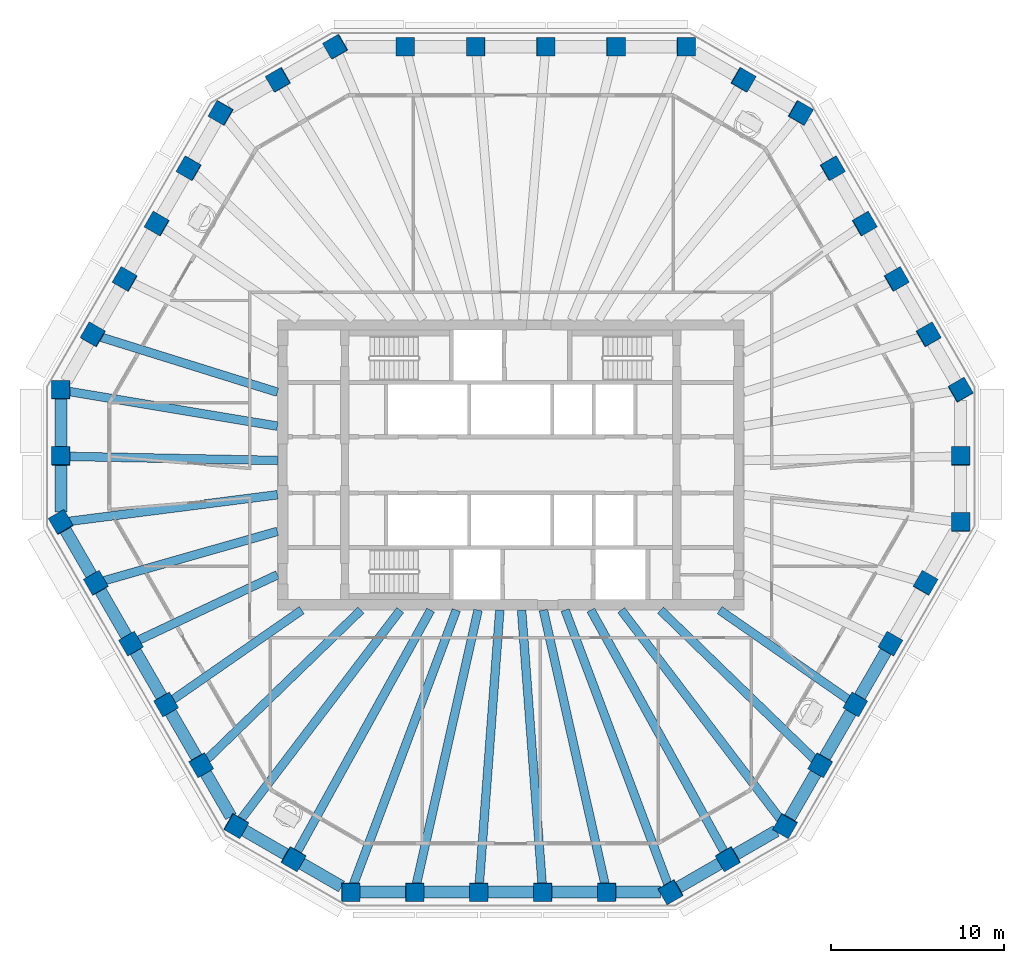
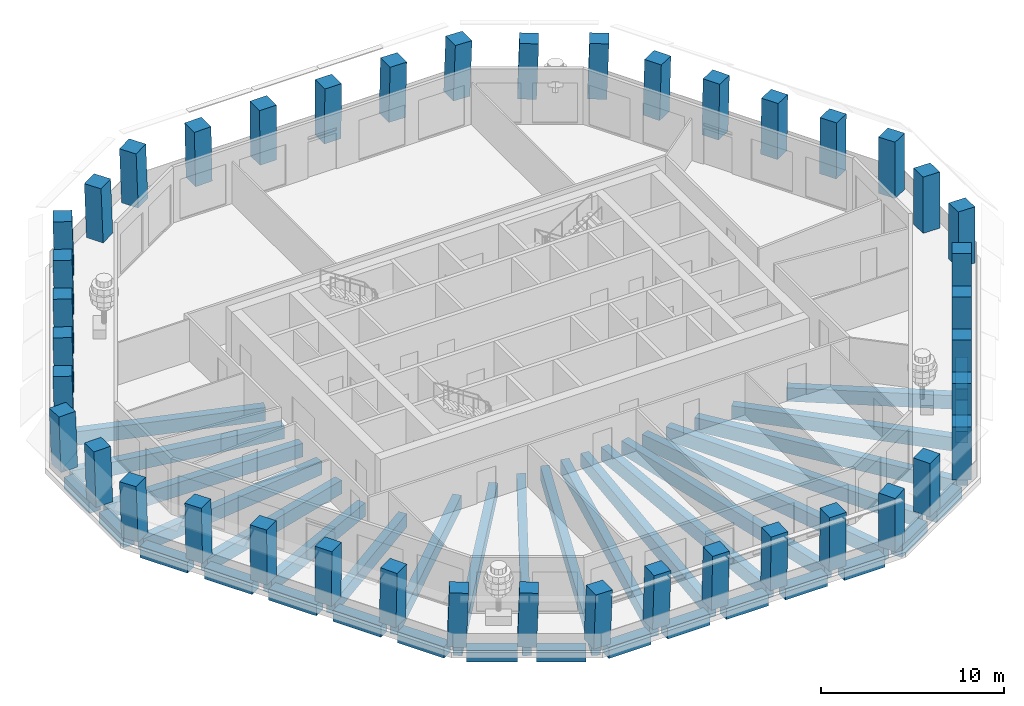
# One storey, part 1 of 12: 42 columns, 39 beams.
"""IFC4 building model written with IfcOpenShell, lengths in metres."""

import ifcopenshell
import ifcopenshell.guid

model = None  # the IFC model being written
_history = None  # IfcOwnerHistory: only IFC2X3 demands one
_inside = {}  # id of a spatial element -> (the spatial element, [elements in it])
_under = {}  # id of a project, library or spatial element -> (it, [spatial elements below it])
_declared = {}  # id of a project -> (the project, [libraries it declares])
_typed = {}  # id of a type object -> (the type object, [elements of that type])
_made_of = {}  # id of a material, layer set ... -> (it, [elements and type objects made of it])


def new_model(schema):
    """Start an empty IFC model of exactly this schema.

    Asked for "IFC4X3", IfcOpenShell would pick the latest addendum, in which some entities
    have other attributes; the version numbers below select the first issue.
    IFC2X3 requires an IfcOwnerHistory on every rooted entity: one is made here for all.
    """
    global model, _history
    if schema == "IFC4X3":
        model = ifcopenshell.file(schema_version=(4, 3, 0, 0))
    else:
        model = ifcopenshell.file(schema=schema)
    _inside.clear()
    _under.clear()
    _declared.clear()
    _typed.clear()
    _made_of.clear()
    _history = None
    if model.schema == "IFC2X3":
        org = make("IfcOrganization", Name="unknown")
        user = make(
            "IfcPersonAndOrganization",
            ThePerson=make("IfcPerson", FamilyName="unknown"),
            TheOrganization=org,
        )
        app = make(
            "IfcApplication",
            ApplicationDeveloper=org,
            Version="unknown",
            ApplicationFullName="unknown",
            ApplicationIdentifier="unknown",
        )
        _history = make(
            "IfcOwnerHistory",
            OwningUser=user,
            OwningApplication=app,
            ChangeAction="ADDED",
            CreationDate=0,
        )
    return model


def make(cls, **values):
    """One entity of the class cls with the attributes given. An attribute that is None is left unset."""
    return model.create_entity(
        cls, **{name: value for name, value in values.items() if value is not None}
    )


def rooted(cls, **values):
    """An entity with a GlobalId (a new one), such as an element, a storey or a relation."""
    return make(cls, GlobalId=ifcopenshell.guid.new(), OwnerHistory=_history, **values)


def si_unit(unit_type, name, prefix=None):
    """IfcSIUnit, for example si_unit("LENGTHUNIT", "METRE", prefix="MILLI")."""
    return make("IfcSIUnit", UnitType=unit_type, Prefix=prefix, Name=name)


def assignment(units):
    """IfcUnitAssignment: the units of a project."""
    return None if units is None else make("IfcUnitAssignment", Units=units)


def point(xyz):
    """IfcCartesianPoint."""
    return None if xyz is None else make("IfcCartesianPoint", Coordinates=xyz)


def direction(xyz):
    """IfcDirection."""
    return None if xyz is None else make("IfcDirection", DirectionRatios=xyz)


def frame(location, z_axis=None, x_axis=None):
    """IfcAxis2Placement3D, a coordinate frame: its origin and axes. An axis left out is left unset."""
    return make(
        "IfcAxis2Placement3D",
        Location=point(location),
        Axis=direction(z_axis),
        RefDirection=direction(x_axis),
    )


def frame_2d(location, x_axis=None):
    """IfcAxis2Placement2D, a coordinate frame in the plane: its origin and x axis."""
    return make(
        "IfcAxis2Placement2D", Location=point(location), RefDirection=direction(x_axis)
    )


def origin():
    """The frame at (0, 0, 0) with its axes left unset."""
    return frame((0.0, 0.0, 0.0))


def origin_2d():
    """The frame at (0, 0) in the plane with its x axis left unset."""
    return frame_2d((0.0, 0.0))


def place(relative_to, where):
    """IfcLocalPlacement: puts the frame where relative to a parent placement (None: the world)."""
    return make(
        "IfcLocalPlacement", PlacementRelTo=relative_to, RelativePlacement=where
    )


def context(
    kind, dimensions, precision=None, world=None, true_north=None, identifier=None
):
    """IfcGeometricRepresentationContext, for example the 3D "Model" context."""
    return make(
        "IfcGeometricRepresentationContext",
        ContextIdentifier=identifier,
        ContextType=kind,
        CoordinateSpaceDimension=dimensions,
        Precision=precision,
        WorldCoordinateSystem=world,
        TrueNorth=true_north,
    )


def subcontext(parent, identifier, kind, view, scale=None):
    """IfcGeometricRepresentationSubContext, for example "Body" below "Model"."""
    return make(
        "IfcGeometricRepresentationSubContext",
        ContextIdentifier=identifier,
        ContextType=kind,
        ParentContext=parent,
        TargetScale=scale,
        TargetView=view,
    )


def project(units=None, contexts=None):
    """IfcProject with its units and contexts."""
    return rooted(
        "IfcProject",
        Name="project",
        RepresentationContexts=contexts,
        UnitsInContext=assignment(units),
    )


def spatial(cls, under=None, at=None, **own):
    """A site, building, storey or space (cls), placed at a placement, below another one or the project."""
    s = rooted(cls, ObjectPlacement=at, **own)
    if under is not None:
        _under.setdefault(under.id(), (under, []))[1].append(s)
    return s


def profile(cls, at=None, kind="AREA", **sizes):
    """A parametric profile (cls). Its sizes go by their IFC names, for example OverallWidth=200.0."""
    return make(cls, ProfileType=kind, Position=at, **sizes)


def rectangle(**sizes):
    """IfcRectangleProfileDef."""
    return profile("IfcRectangleProfileDef", **sizes)


def extrude(swept, where, along, depth):
    """IfcExtrudedAreaSolid: the profile swept, set in the frame where, extruded along a direction by depth."""
    return make(
        "IfcExtrudedAreaSolid",
        SweptArea=swept,
        Position=where,
        ExtrudedDirection=direction(along),
        Depth=depth,
    )


def shape(context_of_items, identifier, shape_type, items):
    """IfcShapeRepresentation: the items that make up one representation, for example the "Body"."""
    return make(
        "IfcShapeRepresentation",
        ContextOfItems=context_of_items,
        RepresentationIdentifier=identifier,
        RepresentationType=shape_type,
        Items=items,
    )


def material(Name=None, Category=None):
    """IfcMaterial."""
    return make("IfcMaterial", Name=Name, Category=Category)


def material_profile(
    of_material, cross_section, Name=None, Category=None, Priority=None
):
    """IfcMaterialProfile: a cross section and its material."""
    return make(
        "IfcMaterialProfile",
        Name=Name,
        Material=of_material,
        Profile=cross_section,
        Priority=Priority,
        Category=Category,
    )


def profile_set(profiles, Name=None, composite=None):
    """IfcMaterialProfileSet."""
    return make(
        "IfcMaterialProfileSet",
        Name=Name,
        MaterialProfiles=profiles,
        CompositeProfile=composite,
    )


def made_of(thing, what):
    """Note that an element or type object is made of a material, layer set ...; save() writes the relation."""
    if what is not None:
        _made_of.setdefault(what.id(), (what, []))[1].append(thing)
    return thing


def type_object(cls, material=None, **own):
    """A type object (cls), such as IfcWallType, which elements share."""
    return made_of(rooted(cls, **own), material)


def element(
    cls,
    number,
    at=None,
    inside=None,
    cuts=None,
    type_object=None,
    material=None,
    context=None,
    identifier="Body",
    shape_type=None,
    held_by="IfcProductDefinitionShape",
    body=None,
    shapes=None,
    **own,
):
    """One element of the class cls, such as IfcWall. Its Tag is "e" and its number.

    at: its placement. inside: the storey or other place that contains it. cuts: it is an
    opening in that element (IfcRelVoidsElement). A single representation is given by context,
    identifier, shape_type and body (its items); several are given by shapes. held_by: the class
    of the entity that holds the representations. save() writes the other relations.
    """
    e = rooted(cls, Tag="e%d" % number, ObjectPlacement=at, **own)
    if body is not None:
        shapes = [shape(context, identifier, shape_type, body)]
    if shapes is not None:
        e.Representation = make(held_by, Representations=shapes)
    if inside is not None:
        _inside.setdefault(inside.id(), (inside, []))[1].append(e)
    if cuts is not None:
        rooted(
            "IfcRelVoidsElement", RelatingBuildingElement=cuts, RelatedOpeningElement=e
        )
    if type_object is not None:
        _typed.setdefault(type_object.id(), (type_object, []))[1].append(e)
    return made_of(e, material)


def aggregate(whole, parts):
    """IfcRelAggregates: a whole, such as a stair, and the parts it consists of."""
    return rooted("IfcRelAggregates", RelatingObject=whole, RelatedObjects=parts)


def save(model, path):
    """Write the relations noted so far, then the file.

    IfcRelAggregates (storeys below a building ...), IfcRelContainedInSpatialStructure (elements
    in a storey), IfcRelDefinesByType, IfcRelAssociatesMaterial and IfcRelDeclares: one each for
    every whole, place, type object, material and project.
    """
    for whole, parts in _under.values():
        aggregate(whole, parts)
    for where, things in _inside.values():
        rooted(
            "IfcRelContainedInSpatialStructure",
            RelatedElements=things,
            RelatingStructure=where,
        )
    for kind, things in _typed.values():
        rooted("IfcRelDefinesByType", RelatedObjects=things, RelatingType=kind)
    for what, things in _made_of.values():
        rooted("IfcRelAssociatesMaterial", RelatedObjects=things, RelatingMaterial=what)
    for by, libraries in _declared.values():
        rooted("IfcRelDeclares", RelatingContext=by, RelatedDefinitions=libraries)
    model.write(path)


model = new_model("IFC4")

# Units and contexts
model_context = context("Model", 3, precision=1e-05, world=origin(), true_north=direction((0.0, 1.0)))
body_context = subcontext(model_context, "Body", "Model", "MODEL_VIEW")
ifc_project = project(units=[si_unit("LENGTHUNIT", "METRE"), si_unit("AREAUNIT", "SQUARE_METRE"), si_unit("VOLUMEUNIT", "CUBIC_METRE"), si_unit("PLANEANGLEUNIT", "RADIAN"), si_unit("MASSUNIT", "GRAM", prefix="KILO")], contexts=[model_context])

# Site, building, storey
site_placement = place(None, origin())
site = spatial("IfcSite", under=ifc_project, at=site_placement, CompositionType="ELEMENT")
building_placement = place(site_placement, origin())
building = spatial("IfcBuilding", under=site, at=building_placement, Name="Frailejon Research Tower", CompositionType="ELEMENT")
storey_placement = place(building_placement, frame((0.0, 0.0, 227.39990234375)))
storey = spatial("IfcBuildingStorey", under=building, at=storey_placement, Name="L49", CompositionType="ELEMENT", Elevation=227.39990234375)

# Columns
ifc_material_1 = material(Name="Concrete C60/75", Category="concrete")
ifc_material_profile_1 = material_profile(ifc_material_1, rectangle(XDim=1.050048828125, YDim=1.050048828125, at=origin_2d()), Name="Column 1050")
ifc_profile_set_1 = profile_set([ifc_material_profile_1], Name="Concrete C60/75")
column_type = type_object("IfcColumnType", Name="Column 1050", PredefinedType="COLUMN", material=ifc_profile_set_1)
for number, where, z_axis, x_axis, name in (
    (1, (26.024658203125, -3.323974609375, 0.0), (0.018113955825, 0.03141534774, 0.999342263957), (-0.001297337727, 0.999506151202, -0.031396984318), "Column C01"),
    (2, (26.024658203125, 0.502685546875, 0.0), (0.018113955825, 0.03141534774, 0.999342263957), (-0.001297337727, 0.999506151202, -0.031396984318), "Column C02"),
    (3, (26.024658203125, 4.32958984375, 0.0), (0.018113993821, 0.031348572332, 0.999344360189), (-0.500242438757, 0.865696423189, -0.018088818244), "Column C03"),
):
    element("IfcColumn", number, at=place(storey_placement, frame(where, z_axis=z_axis, x_axis=x_axis)), inside=storey, type_object=column_type, Name=name, PredefinedType="COLUMN", context=body_context, shape_type="SweptSolid", body=[
        extrude(rectangle(XDim=1.050048828125, YDim=1.050048828125, at=origin_2d()), origin(), (0.0, 0.0, 1.0), 3.652587890625),
    ])
column_1_placement = place(storey_placement, frame((24.172119140625, 7.538330078125, 0.0), z_axis=(0.021792492936, 0.025134899828, 0.999446508855), x_axis=(-0.499665392548, 0.866150076023, -0.010887667087)))
element("IfcColumn", 4, at=column_1_placement, inside=storey, type_object=column_type, Name="Column C04", PredefinedType="COLUMN", context=body_context, shape_type="SweptSolid", body=[
    extrude(rectangle(XDim=1.050048828125, YDim=1.050048828125, at=origin_2d()), origin(), (0.0, 0.0, 1.0), 3.652099609375),
])
for number, where, z_axis, x_axis, name in (
    (5, (22.319580078125, 10.7470703125, 0.0), (0.025403639223, 0.018852174371, 0.999499500068), (-0.49953538034, 0.866285825257, -0.003643178262), "Column C05"),
    (6, (20.467041015625, 13.955810546875, 0.0), (0.029013644583, 0.012568122538, 0.999500000362), (-0.499848973822, 0.866105020579, 0.003618935909), "Column C06"),
):
    element("IfcColumn", number, at=place(storey_placement, frame(where, z_axis=z_axis, x_axis=x_axis)), inside=storey, type_object=column_type, Name=name, PredefinedType="COLUMN", context=body_context, shape_type="SweptSolid", body=[
        extrude(rectangle(XDim=1.050048828125, YDim=1.050048828125, at=origin_2d()), origin(), (0.0, 0.0, 1.0), 3.65185546875),
    ])
column_2_placement = place(storey_placement, frame((18.614501953125, 17.16455078125, 0.0), z_axis=(0.032621940247, 0.006283734392, 0.999448009502), x_axis=(-0.499397291693, 0.866305109606, 0.01085366852)))
element("IfcColumn", 7, at=column_2_placement, inside=storey, type_object=column_type, Name="Column C07", PredefinedType="COLUMN", context=body_context, shape_type="SweptSolid", body=[
    extrude(rectangle(XDim=1.050048828125, YDim=1.050048828125, at=origin_2d()), origin(), (0.0, 0.0, 1.0), 3.652099609375),
])
for number, where, z_axis, x_axis, name in (
    (8, (16.76171875, 20.373291015625, 0.0), (0.036294711627, 0.0, 0.999341129899), (-0.865312619905, 0.500246354177, 0.031426978303), "Column C08"),
    (9, (13.44775390625, 22.28662109375, 0.0), (0.036294711627, 0.0, 0.999341129899), (-0.865312619905, 0.500246354177, 0.031426978303), "Column C09"),
    (10, (10.1337890625, 24.199951171875, 0.0), (0.036227958345, 0.0, 0.999343552055), (-0.999343552055, 0.0, 0.036227958345), "Column C10"),
):
    element("IfcColumn", number, at=place(storey_placement, frame(where, z_axis=z_axis, x_axis=x_axis)), inside=storey, type_object=column_type, Name=name, PredefinedType="COLUMN", context=body_context, shape_type="SweptSolid", body=[
        extrude(rectangle(XDim=1.050048828125, YDim=1.050048828125, at=origin_2d()), origin(), (0.0, 0.0, 1.0), 3.652587890625),
    ])
column_3_placement = place(storey_placement, frame((6.080322265625, 24.199951171875, 0.0), z_axis=(0.021799380047, 0.0, 0.99976236528), x_axis=(-0.99976236528, 0.0, 0.021799380047)))
element("IfcColumn", 11, at=column_3_placement, inside=storey, type_object=column_type, Name="Column C11", PredefinedType="COLUMN", context=body_context, shape_type="SweptSolid", body=[
    extrude(rectangle(XDim=1.050048828125, YDim=1.050048828125, at=origin_2d()), origin(), (0.0, 0.0, 1.0), 3.651123046875),
])
for number, where, z_axis, x_axis, name in (
    (12, (2.02685546875, 24.199951171875, 0.0), (0.007223408626, 0.0, 0.999973910844), (-0.999973910844, 0.0, 0.007223408626), "Column C12"),
    (13, (-2.02685546875, 24.199951171875, 0.0), (-0.007223408626, 0.0, 0.999973910844), (-0.999973910844, 0.0, -0.007223408626), "Column C13"),
):
    element("IfcColumn", number, at=place(storey_placement, frame(where, z_axis=z_axis, x_axis=x_axis)), inside=storey, type_object=column_type, Name=name, PredefinedType="COLUMN", context=body_context, shape_type="SweptSolid", body=[
        extrude(rectangle(XDim=1.050048828125, YDim=1.050048828125, at=origin_2d()), origin(), (0.0, 0.0, 1.0), 3.650146484375),
    ])
column_4_placement = place(storey_placement, frame((-6.080322265625, 24.199951171875, 0.0), z_axis=(-0.021799380047, 0.0, 0.99976236528), x_axis=(-0.99976236528, 0.0, -0.021799380047)))
element("IfcColumn", 14, at=column_4_placement, inside=storey, type_object=column_type, Name="Column C14", PredefinedType="COLUMN", context=body_context, shape_type="SweptSolid", body=[
    extrude(rectangle(XDim=1.050048828125, YDim=1.050048828125, at=origin_2d()), origin(), (0.0, 0.0, 1.0), 3.651123046875),
])
for number, where, z_axis, x_axis, name in (
    (15, (-10.1337890625, 24.199951171875, 0.0), (-0.036227958345, 0.0, 0.999343552055), (-0.865314717209, -0.500246354177, -0.031369177763), "Column C15"),
    (16, (-13.44775390625, 22.28662109375, 0.0), (-0.036294711627, 0.0, 0.999341129899), (-0.865312619905, -0.500246354177, -0.031426978303), "Column C16"),
    (17, (-16.76171875, 20.373291015625, 0.0), (-0.036294711627, 0.0, 0.999341129899), (-0.499424332648, -0.866167613071, -0.018138412991), "Column C17"),
):
    element("IfcColumn", number, at=place(storey_placement, frame(where, z_axis=z_axis, x_axis=x_axis)), inside=storey, type_object=column_type, Name=name, PredefinedType="COLUMN", context=body_context, shape_type="SweptSolid", body=[
        extrude(rectangle(XDim=1.050048828125, YDim=1.050048828125, at=origin_2d()), origin(), (0.0, 0.0, 1.0), 3.652587890625),
    ])
column_5_placement = place(storey_placement, frame((-18.614501953125, 17.16455078125, 0.0), z_axis=(-0.032621940247, 0.006283734392, 0.999448009502), x_axis=(-0.499397291693, -0.866305109606, -0.01085366852)))
element("IfcColumn", 18, at=column_5_placement, inside=storey, type_object=column_type, Name="Column C18", PredefinedType="COLUMN", context=body_context, shape_type="SweptSolid", body=[
    extrude(rectangle(XDim=1.050048828125, YDim=1.050048828125, at=origin_2d()), origin(), (0.0, 0.0, 1.0), 3.652099609375),
])
for number, where, z_axis, x_axis, name in (
    (19, (-20.467041015625, 13.955810546875, 0.0), (-0.029013644583, 0.012568122538, 0.999500000362), (-0.499848973822, -0.866105020579, -0.003618935909), "Column C19"),
    (20, (-22.319580078125, 10.7470703125, 0.0), (-0.025403639223, 0.018852174371, 0.999499500068), (-0.49953538034, -0.866285825257, 0.003643178262), "Column C20"),
):
    element("IfcColumn", number, at=place(storey_placement, frame(where, z_axis=z_axis, x_axis=x_axis)), inside=storey, type_object=column_type, Name=name, PredefinedType="COLUMN", context=body_context, shape_type="SweptSolid", body=[
        extrude(rectangle(XDim=1.050048828125, YDim=1.050048828125, at=origin_2d()), origin(), (0.0, 0.0, 1.0), 3.65185546875),
    ])
column_6_placement = place(storey_placement, frame((-24.172119140625, 7.538330078125, 0.0), z_axis=(-0.021792492936, 0.025134899828, 0.999446508855), x_axis=(-0.499665392548, -0.866150076023, 0.010887667087)))
element("IfcColumn", 21, at=column_6_placement, inside=storey, type_object=column_type, Name="Column C21", PredefinedType="COLUMN", context=body_context, shape_type="SweptSolid", body=[
    extrude(rectangle(XDim=1.050048828125, YDim=1.050048828125, at=origin_2d()), origin(), (0.0, 0.0, 1.0), 3.652099609375),
])
for number, where, z_axis, x_axis, name in (
    (22, (-26.024658203125, 4.32958984375, 0.0), (-0.018113993821, 0.031348572332, 0.999344360189), (-0.000374711626, -0.999508494025, 0.031346929091), "Column C22"),
    (23, (-26.024658203125, 0.502685546875, 0.0), (-0.018113955825, 0.03141534774, 0.999342263957), (-0.001297337727, -0.999506151202, 0.031396984318), "Column C23"),
    (24, (-26.024658203125, -3.323974609375, 0.0), (-0.018113955825, 0.03141534774, 0.999342263957), (0.499040514287, -0.865819568771, 0.036263472456), "Column C24"),
):
    element("IfcColumn", number, at=place(storey_placement, frame(where, z_axis=z_axis, x_axis=x_axis)), inside=storey, type_object=column_type, Name=name, PredefinedType="COLUMN", context=body_context, shape_type="SweptSolid", body=[
        extrude(rectangle(XDim=1.050048828125, YDim=1.050048828125, at=origin_2d()), origin(), (0.0, 0.0, 1.0), 3.652587890625),
    ])
column_7_placement = place(storey_placement, frame((-23.997802734375, -6.834228515625, 0.0), z_axis=(-0.010899694483, 0.018857140148, 0.999762774325), x_axis=(0.499728940012, -0.865907957958, 0.021780607409)))
element("IfcColumn", 25, at=column_7_placement, inside=storey, type_object=column_type, Name="Column C25", PredefinedType="COLUMN", context=body_context, shape_type="SweptSolid", body=[
    extrude(rectangle(XDim=1.050048828125, YDim=1.050048828125, at=origin_2d()), origin(), (0.0, 0.0, 1.0), 3.651123046875),
])
for number, where, z_axis, x_axis, name in (
    (26, (-21.97119140625, -10.3447265625, 0.0), (-0.003611703602, 0.006287039604, 0.99997371402), (0.499382074229, -0.866351529566, 0.007250597003), "Column C26"),
    (27, (-19.9443359375, -13.855224609375, 0.0), (0.003611703602, -0.006287039604, 0.99997371402), (0.499382074229, -0.866351529566, -0.007250597003), "Column C27"),
):
    element("IfcColumn", number, at=place(storey_placement, frame(where, z_axis=z_axis, x_axis=x_axis)), inside=storey, type_object=column_type, Name=name, PredefinedType="COLUMN", context=body_context, shape_type="SweptSolid", body=[
        extrude(rectangle(XDim=1.050048828125, YDim=1.050048828125, at=origin_2d()), origin(), (0.0, 0.0, 1.0), 3.650146484375),
    ])
column_8_placement = place(storey_placement, frame((-17.917724609375, -17.36572265625, 0.0), z_axis=(0.010899694483, -0.018857140148, 0.999762774325), x_axis=(0.499728940012, -0.865907957958, -0.021780607409)))
element("IfcColumn", 28, at=column_8_placement, inside=storey, type_object=column_type, Name="Column C28", PredefinedType="COLUMN", context=body_context, shape_type="SweptSolid", body=[
    extrude(rectangle(XDim=1.050048828125, YDim=1.050048828125, at=origin_2d()), origin(), (0.0, 0.0, 1.0), 3.651123046875),
])
for number, where, z_axis, x_axis, name in (
    (29, (-15.890869140625, -20.876220703125, 0.0), (0.018113993821, -0.031348572332, 0.999344360189), (0.866279402233, -0.498575649811, -0.031341963599), "Column C29"),
    (30, (-12.576904296875, -22.78955078125, 0.0), (0.018113955825, -0.03141534774, 0.999342263957), (0.86551973078, -0.499889444942, -0.031402841694), "Column C30"),
    (31, (-9.262939453125, -24.702880859375, 0.0), (0.018113993821, -0.031348572332, 0.999344360189), (0.999835908959, 0.000763794219, -0.018098944006), "Column C31"),
):
    element("IfcColumn", number, at=place(storey_placement, frame(where, z_axis=z_axis, x_axis=x_axis)), inside=storey, type_object=column_type, Name=name, PredefinedType="COLUMN", context=body_context, shape_type="SweptSolid", body=[
        extrude(rectangle(XDim=1.050048828125, YDim=1.050048828125, at=origin_2d()), origin(), (0.0, 0.0, 1.0), 3.652587890625),
    ])
column_9_placement = place(storey_placement, frame((-5.5576171875, -24.702880859375, 0.0), z_axis=(0.010829433343, -0.031351878011, 0.999449740166), x_axis=(0.999941194015, -0.00023630285, -0.010842171057)))
element("IfcColumn", 32, at=column_9_placement, inside=storey, type_object=column_type, Name="Column C32", PredefinedType="COLUMN", context=body_context, shape_type="SweptSolid", body=[
    extrude(rectangle(XDim=1.050048828125, YDim=1.050048828125, at=origin_2d()), origin(), (0.0, 0.0, 1.0), 3.652099609375),
])
for number, where, z_axis, x_axis, name in (
    (33, (-1.8525390625, -24.702880859375, 0.0), (0.003609999283, -0.031353512291, 0.999501838504), (0.999993461225, -9.9812385e-05, -0.003614905954), "Column C33"),
    (34, (1.8525390625, -24.702880859375, 0.0), (-0.003609999283, -0.031353512291, 0.999501838504), (0.999993461225, 9.9812385e-05, 0.003614905954), "Column C34"),
):
    element("IfcColumn", number, at=place(storey_placement, frame(where, z_axis=z_axis, x_axis=x_axis)), inside=storey, type_object=column_type, Name=name, PredefinedType="COLUMN", context=body_context, shape_type="SweptSolid", body=[
        extrude(rectangle(XDim=1.050048828125, YDim=1.050048828125, at=origin_2d()), origin(), (0.0, 0.0, 1.0), 3.65185546875),
    ])
column_10_placement = place(storey_placement, frame((5.5576171875, -24.702880859375, 0.0), z_axis=(-0.010829433343, -0.031351878011, 0.999449740166), x_axis=(0.999941194015, 0.00023630285, 0.010842171057)))
element("IfcColumn", 35, at=column_10_placement, inside=storey, type_object=column_type, Name="Column C35", PredefinedType="COLUMN", context=body_context, shape_type="SweptSolid", body=[
    extrude(rectangle(XDim=1.050048828125, YDim=1.050048828125, at=origin_2d()), origin(), (0.0, 0.0, 1.0), 3.652099609375),
])
for number, where, z_axis, x_axis, name in (
    (36, (9.262939453125, -24.702880859375, 0.0), (-0.018113993821, -0.031348572332, 0.999344360189), (0.865981255469, 0.499092645249, 0.031352777129), "Column C36"),
    (37, (12.576904296875, -22.78955078125, 0.0), (-0.018113955825, -0.03141534774, 0.999342263957), (0.86551973078, 0.499889444942, 0.031402841694), "Column C37"),
    (38, (15.890869140625, -20.876220703125, 0.0), (-0.018113993821, -0.031348572332, 0.999344360189), (0.500358082912, 0.865061234454, 0.036205655771), "Column C38"),
):
    element("IfcColumn", number, at=place(storey_placement, frame(where, z_axis=z_axis, x_axis=x_axis)), inside=storey, type_object=column_type, Name=name, PredefinedType="COLUMN", context=body_context, shape_type="SweptSolid", body=[
        extrude(rectangle(XDim=1.050048828125, YDim=1.050048828125, at=origin_2d()), origin(), (0.0, 0.0, 1.0), 3.652587890625),
    ])
column_11_placement = place(storey_placement, frame((17.917724609375, -17.36572265625, 0.0), z_axis=(-0.010899694483, -0.018857140148, 0.999762774325), x_axis=(0.499728940012, 0.865907957958, 0.021780607409)))
element("IfcColumn", 39, at=column_11_placement, inside=storey, type_object=column_type, Name="Column C39", PredefinedType="COLUMN", context=body_context, shape_type="SweptSolid", body=[
    extrude(rectangle(XDim=1.050048828125, YDim=1.050048828125, at=origin_2d()), origin(), (0.0, 0.0, 1.0), 3.651123046875),
])
for number, where, z_axis, x_axis, name in (
    (40, (19.9443359375, -13.855224609375, 0.0), (-0.003611703602, -0.006287039604, 0.99997371402), (0.499382074229, 0.866351529566, 0.007250597003), "Column C40"),
    (41, (21.97119140625, -10.3447265625, 0.0), (0.003611703602, 0.006287039604, 0.99997371402), (0.499382074229, 0.866351529566, -0.007250597003), "Column C41"),
):
    element("IfcColumn", number, at=place(storey_placement, frame(where, z_axis=z_axis, x_axis=x_axis)), inside=storey, type_object=column_type, Name=name, PredefinedType="COLUMN", context=body_context, shape_type="SweptSolid", body=[
        extrude(rectangle(XDim=1.050048828125, YDim=1.050048828125, at=origin_2d()), origin(), (0.0, 0.0, 1.0), 3.650146484375),
    ])
column_12_placement = place(storey_placement, frame((23.997802734375, -6.834228515625, 0.0), z_axis=(0.010899694483, 0.018857140148, 0.999762774325), x_axis=(0.499728940012, 0.865907957958, -0.021780607409)))
element("IfcColumn", 42, at=column_12_placement, inside=storey, type_object=column_type, Name="Column C42", PredefinedType="COLUMN", context=body_context, shape_type="SweptSolid", body=[
    extrude(rectangle(XDim=1.050048828125, YDim=1.050048828125, at=origin_2d()), origin(), (0.0, 0.0, 1.0), 3.651123046875),
])

# Beams
ifc_material_2 = material(Name="Concrete C60/75", Category="concrete")
ifc_material_profile_2 = material_profile(ifc_material_2, rectangle(XDim=0.5, YDim=0.89990234375, at=origin_2d()), Name="Girder 500x900")
ifc_profile_set_2 = profile_set([ifc_material_profile_2], Name="Concrete C60/75")
beam_type_1 = type_object("IfcBeamType", Name="Girder 500x900", PredefinedType="BEAM", material=ifc_profile_set_2)
beam_1_placement = place(storey_placement, frame((-23.801513671875, 7.422607421875, -0.75), z_axis=(0.954659757219, -0.297699089596, 0.0), x_axis=(0.297699089596, 0.954659757219, 0.0)))
element("IfcBeam", 43, at=beam_1_placement, inside=storey, type_object=beam_type_1, Name="Girder 500x900", PredefinedType="BEAM", context=body_context, shape_type="SweptSolid", body=[
    extrude(rectangle(XDim=0.5, YDim=0.89990234375, at=origin_2d()), origin(), (0.0, 0.0, 1.0), 10.790771484375),
])
beam_2_placement = place(storey_placement, frame((-25.647705078125, 4.266845703125, -0.75), z_axis=(0.986441569933, -0.164112854792, 0.0), x_axis=(0.164112854792, 0.986441569933, 0.0)))
element("IfcBeam", 44, at=beam_2_placement, inside=storey, type_object=beam_type_1, Name="Girder 500x900", PredefinedType="BEAM", context=body_context, shape_type="SweptSolid", body=[
    extrude(rectangle(XDim=0.5, YDim=0.89990234375, at=origin_2d()), origin(), (0.0, 0.0, 1.0), 12.314697265625),
])
beam_3_placement = place(storey_placement, frame((-25.649658203125, 0.49560546875, -0.75), z_axis=(0.99981321137, -0.019327244235, 0.0), x_axis=(0.019327244235, 0.99981321137, 0.0)))
element("IfcBeam", 45, at=beam_3_placement, inside=storey, type_object=beam_type_1, Name="Girder 500x900", PredefinedType="BEAM", context=body_context, shape_type="SweptSolid", body=[
    extrude(rectangle(XDim=0.5, YDim=0.89990234375, at=origin_2d()), origin(), (0.0, 0.0, 1.0), 12.15185546875),
])
beam_4_placement = place(storey_placement, frame((-25.60888671875, -3.270751953125, -0.75), z_axis=(0.991941385601, 0.12669762244, 0.0), x_axis=(-0.12669762244, 0.991941385601, 0.0)))
element("IfcBeam", 46, at=beam_4_placement, inside=storey, type_object=beam_type_1, Name="Girder 500x900", PredefinedType="BEAM", context=body_context, shape_type="SweptSolid", body=[
    extrude(rectangle(XDim=0.5, YDim=0.89990234375, at=origin_2d()), origin(), (0.0, 0.0, 1.0), 12.207275390625),
])
beam_5_placement = place(storey_placement, frame((-23.62158203125, -6.72705078125, -0.75), z_axis=(0.961757333984, 0.273902958231, 0.0), x_axis=(-0.273902958231, 0.961757333984, 0.0)))
element("IfcBeam", 47, at=beam_5_placement, inside=storey, type_object=beam_type_1, Name="Girder 500x900", PredefinedType="BEAM", context=body_context, shape_type="SweptSolid", body=[
    extrude(rectangle(XDim=0.5, YDim=0.89990234375, at=origin_2d()), origin(), (0.0, 0.0, 1.0), 10.524169921875),
])
beam_6_placement = place(storey_placement, frame((-21.63037109375, -10.184326171875, -0.75), z_axis=(0.904730022845, 0.42598542905, 0.0), x_axis=(-0.42598542905, 0.904730022845, 0.0)))
element("IfcBeam", 48, at=beam_6_placement, inside=storey, type_object=beam_type_1, Name="Girder 500x900", PredefinedType="BEAM", context=body_context, shape_type="SweptSolid", body=[
    extrude(rectangle(XDim=0.5, YDim=0.89990234375, at=origin_2d()), origin(), (0.0, 0.0, 1.0), 8.986572265625),
])
beam_7_placement = place(storey_placement, frame((-19.635009765625, -13.64013671875, -0.75), z_axis=(0.82127344036, 0.570534780849, 0.0), x_axis=(-0.570534780849, 0.82127344036, 0.0)))
element("IfcBeam", 49, at=beam_7_placement, inside=storey, type_object=beam_type_1, Name="Girder 500x900", PredefinedType="BEAM", context=body_context, shape_type="SweptSolid", body=[
    extrude(rectangle(XDim=0.5, YDim=0.89990234375, at=origin_2d()), origin(), (0.0, 0.0, 1.0), 9.184814453125),
])
beam_8_placement = place(storey_placement, frame((-17.63671875, -17.093505859375, -0.75), z_axis=(0.718072934697, 0.695967858781, 0.0), x_axis=(-0.695967858781, 0.718072934697, 0.0)))
element("IfcBeam", 50, at=beam_8_placement, inside=storey, type_object=beam_type_1, Name="Girder 500x900", PredefinedType="BEAM", context=body_context, shape_type="SweptSolid", body=[
    extrude(rectangle(XDim=0.5, YDim=0.89990234375, at=origin_2d()), origin(), (0.0, 0.0, 1.0), 12.491455078125),
])
beam_9_placement = place(storey_placement, frame((-15.6611328125, -20.57421875, -0.75), z_axis=(0.605688350752, 0.795701967927, 0.0), x_axis=(-0.795701967927, 0.605688350752, 0.0)))
element("IfcBeam", 51, at=beam_9_placement, inside=storey, type_object=beam_type_1, Name="Girder 500x900", PredefinedType="BEAM", context=body_context, shape_type="SweptSolid", body=[
    extrude(rectangle(XDim=0.5, YDim=0.89990234375, at=origin_2d()), origin(), (0.0, 0.0, 1.0), 15.300048828125),
])
beam_10_placement = place(storey_placement, frame((-12.395751953125, -22.461181640625, -0.75), z_axis=(0.483175795454, 0.875523358162, 0.0), x_axis=(-0.875523358162, 0.483175795454, 0.0)))
element("IfcBeam", 52, at=beam_10_placement, inside=storey, type_object=beam_type_1, Name="Girder 500x900", PredefinedType="BEAM", context=body_context, shape_type="SweptSolid", body=[
    extrude(rectangle(XDim=0.5, YDim=0.89990234375, at=origin_2d()), origin(), (0.0, 0.0, 1.0), 16.060546875),
])
beam_11_placement = place(storey_placement, frame((-9.11865234375, -24.318359375, -0.75), z_axis=(0.351088818446, 0.936342160517, 0.0), x_axis=(-0.936342160517, 0.351088818446, 0.0)))
element("IfcBeam", 53, at=beam_11_placement, inside=storey, type_object=beam_type_1, Name="Girder 500x900", PredefinedType="BEAM", context=body_context, shape_type="SweptSolid", body=[
    extrude(rectangle(XDim=0.5, YDim=0.89990234375, at=origin_2d()), origin(), (0.0, 0.0, 1.0), 17.000732421875),
])
beam_12_placement = place(storey_placement, frame((-5.472412109375, -24.32421875, -0.75), z_axis=(0.219485857089, 0.975615681782, 0.0), x_axis=(-0.975615681782, 0.219485857089, 0.0)))
element("IfcBeam", 54, at=beam_12_placement, inside=storey, type_object=beam_type_1, Name="Girder 500x900", PredefinedType="BEAM", context=body_context, shape_type="SweptSolid", body=[
    extrude(rectangle(XDim=0.5, YDim=0.89990234375, at=origin_2d()), origin(), (0.0, 0.0, 1.0), 16.322265625),
])
for number, where, z_axis, x_axis, name in (
    (55, (-1.824462890625, -24.327392578125, -0.75), (0.074791088228, 0.997199224389, 0.0), (-0.997199224389, 0.074791088228, 0.0), "Girder 500x900"),
    (56, (1.824462890625, -24.327392578125, -0.75), (-0.074791088228, 0.997199224389, 0.0), (-0.997199224389, -0.074791088228, 0.0), "Girder 500x900"),
):
    element("IfcBeam", number, at=place(storey_placement, frame(where, z_axis=z_axis, x_axis=x_axis)), inside=storey, type_object=beam_type_1, Name=name, PredefinedType="BEAM", context=body_context, shape_type="SweptSolid", body=[
        extrude(rectangle(XDim=0.5, YDim=0.89990234375, at=origin_2d()), origin(), (0.0, 0.0, 1.0), 15.97216796875),
    ])
beam_13_placement = place(storey_placement, frame((5.472412109375, -24.32421875, -0.75), z_axis=(-0.219485857089, 0.975615681782, 0.0), x_axis=(-0.975615681782, -0.219485857089, 0.0)))
element("IfcBeam", 57, at=beam_13_placement, inside=storey, type_object=beam_type_1, Name="Girder 500x900", PredefinedType="BEAM", context=body_context, shape_type="SweptSolid", body=[
    extrude(rectangle(XDim=0.5, YDim=0.89990234375, at=origin_2d()), origin(), (0.0, 0.0, 1.0), 16.322265625),
])
beam_14_placement = place(storey_placement, frame((9.128662109375, -24.344970703125, -0.75), z_axis=(-0.351090447415, 0.936341549721, 0.0), x_axis=(-0.936341549721, -0.351090447415, 0.0)))
element("IfcBeam", 58, at=beam_14_placement, inside=storey, type_object=beam_type_1, Name="Girder 500x900", PredefinedType="BEAM", context=body_context, shape_type="SweptSolid", body=[
    extrude(rectangle(XDim=0.5, YDim=0.89990234375, at=origin_2d()), origin(), (0.0, 0.0, 1.0), 17.029052734375),
])
beam_15_placement = place(storey_placement, frame((12.395751953125, -22.461181640625, -0.75), z_axis=(-0.483175795454, 0.875523358162, 0.0), x_axis=(-0.875523358162, -0.483175795454, 0.0)))
element("IfcBeam", 59, at=beam_15_placement, inside=storey, type_object=beam_type_1, Name="Girder 500x900", PredefinedType="BEAM", context=body_context, shape_type="SweptSolid", body=[
    extrude(rectangle(XDim=0.5, YDim=0.89990234375, at=origin_2d()), origin(), (0.0, 0.0, 1.0), 16.060546875),
])
beam_16_placement = place(storey_placement, frame((15.636962890625, -20.54248046875, -0.75), z_axis=(-0.605687905082, 0.795702307171, 0.0), x_axis=(-0.795702307171, -0.605687905082, 0.0)))
element("IfcBeam", 60, at=beam_16_placement, inside=storey, type_object=beam_type_1, Name="Girder 500x900", PredefinedType="BEAM", context=body_context, shape_type="SweptSolid", body=[
    extrude(rectangle(XDim=0.5, YDim=0.89990234375, at=origin_2d()), origin(), (0.0, 0.0, 1.0), 15.26025390625),
])
beam_17_placement = place(storey_placement, frame((17.63671875, -17.093505859375, -0.75), z_axis=(-0.718072934697, 0.695967858781, 0.0), x_axis=(-0.695967858781, -0.718072934697, 0.0)))
element("IfcBeam", 61, at=beam_17_placement, inside=storey, type_object=beam_type_1, Name="Girder 500x900", PredefinedType="BEAM", context=body_context, shape_type="SweptSolid", body=[
    extrude(rectangle(XDim=0.5, YDim=0.89990234375, at=origin_2d()), origin(), (0.0, 0.0, 1.0), 12.491455078125),
])
beam_18_placement = place(storey_placement, frame((19.635009765625, -13.64013671875, -0.75), z_axis=(-0.82127344036, 0.570534780849, 0.0), x_axis=(-0.570534780849, -0.82127344036, 0.0)))
element("IfcBeam", 62, at=beam_18_placement, inside=storey, type_object=beam_type_1, Name="Girder 500x900", PredefinedType="BEAM", context=body_context, shape_type="SweptSolid", body=[
    extrude(rectangle(XDim=0.5, YDim=0.89990234375, at=origin_2d()), origin(), (0.0, 0.0, 1.0), 9.184814453125),
])
ifc_material_3 = material(Name="Concrete C60/75", Category="concrete")
ifc_material_profile_3 = material_profile(ifc_material_3, rectangle(XDim=0.699951171875, YDim=0.75, at=origin_2d()), Name="Spandrel 700x750")
ifc_profile_set_3 = profile_set([ifc_material_profile_3], Name="Concrete C60/75")
beam_type_2 = type_object("IfcBeamType", Name="Spandrel 700x750", PredefinedType="BEAM", material=ifc_profile_set_3)
beam_19_placement = place(storey_placement, frame((-26.024658203125, 3.804443359375, -0.724853515625), z_axis=(0.0, -1.0, 0.0), x_axis=(1.0, 0.0, 0.0)))
element("IfcBeam", 63, at=beam_19_placement, inside=storey, type_object=beam_type_2, Name="Spandrel 700x750", PredefinedType="BEAM", context=body_context, shape_type="SweptSolid", body=[
    extrude(rectangle(XDim=0.699951171875, YDim=0.75, at=origin_2d()), origin(), (0.0, 0.0, 1.0), 2.776611328125),
])
beam_20_placement = place(storey_placement, frame((-26.024658203125, -0.022216796875, -0.724853515625), z_axis=(0.0, -1.0, 0.0), x_axis=(1.0, 0.0, 0.0)))
element("IfcBeam", 64, at=beam_20_placement, inside=storey, type_object=beam_type_2, Name="Spandrel 700x750", PredefinedType="BEAM", context=body_context, shape_type="SweptSolid", body=[
    extrude(rectangle(XDim=0.699951171875, YDim=0.75, at=origin_2d()), origin(), (0.0, 0.0, 1.0), 2.695556640625),
])
for number, where, z_axis, x_axis, name in (
    (65, (-25.76220703125, -3.778564453125, -0.724853515625), (0.499994527285, -0.866028563435, 0.0), (0.866028563435, 0.499994527285, 0.0), "Spandrel 700x750"),
    (66, (-23.7353515625, -7.2890625, -0.724853515625), (0.499994527285, -0.866028563435, 0.0), (0.866028563435, 0.499994527285, 0.0), "Spandrel 700x750"),
    (67, (-21.708740234375, -10.799560546875, -0.724853515625), (0.500090690456, -0.865973037293, 0.0), (0.865973037293, 0.500090690456, 0.0), "Spandrel 700x750"),
    (68, (-19.681884765625, -14.309814453125, -0.724853515625), (0.499994527285, -0.866028563435, 0.0), (0.866028563435, 0.499994527285, 0.0), "Spandrel 700x750"),
):
    element("IfcBeam", number, at=place(storey_placement, frame(where, z_axis=z_axis, x_axis=x_axis)), inside=storey, type_object=beam_type_2, Name=name, PredefinedType="BEAM", context=body_context, shape_type="SweptSolid", body=[
        extrude(rectangle(XDim=0.699951171875, YDim=0.75, at=origin_2d()), origin(), (0.0, 0.0, 1.0), 3.00341796875),
    ])
beam_21_placement = place(storey_placement, frame((-17.6552734375, -17.8203125, -0.724853515625), z_axis=(0.500011723887, -0.866018634889, 0.0), x_axis=(0.866018634889, 0.500011723887, 0.0)))
element("IfcBeam", 69, at=beam_21_placement, inside=storey, type_object=beam_type_2, Name="Spandrel 700x750", PredefinedType="BEAM", context=body_context, shape_type="SweptSolid", body=[
    extrude(rectangle(XDim=0.699951171875, YDim=0.75, at=origin_2d()), origin(), (0.0, 0.0, 1.0), 2.92236328125),
])
beam_22_placement = place(storey_placement, frame((-15.436279296875, -21.138671875, -0.724853515625), z_axis=(0.866021602438, -0.500006584067, 0.0), x_axis=(0.500006584067, 0.866021602438, 0.0)))
element("IfcBeam", 70, at=beam_22_placement, inside=storey, type_object=beam_type_2, Name="Spandrel 700x750", PredefinedType="BEAM", context=body_context, shape_type="SweptSolid", body=[
    extrude(rectangle(XDim=0.699951171875, YDim=0.75, at=origin_2d()), origin(), (0.0, 0.0, 1.0), 2.77685546875),
])
beam_23_placement = place(storey_placement, frame((-12.122314453125, -23.052001953125, -0.724853515625), z_axis=(0.866049846835, -0.499957661005, 0.0), x_axis=(0.499957661005, 0.866049846835, 0.0)))
element("IfcBeam", 71, at=beam_23_placement, inside=storey, type_object=beam_type_2, Name="Spandrel 700x750", PredefinedType="BEAM", context=body_context, shape_type="SweptSolid", body=[
    extrude(rectangle(XDim=0.699951171875, YDim=0.75, at=origin_2d()), origin(), (0.0, 0.0, 1.0), 2.695556640625),
])
for number, where, z_axis, x_axis, name in (
    (72, (-8.73779296875, -24.702880859375, -0.724853515625), (1.0, 0.0, 0.0), (0.0, 1.0, 0.0), "Spandrel 700x750"),
    (73, (-5.03271484375, -24.702880859375, -0.724853515625), (1.0, 0.0, 0.0), (0.0, 1.0, 0.0), "Spandrel 700x750"),
):
    element("IfcBeam", number, at=place(storey_placement, frame(where, z_axis=z_axis, x_axis=x_axis)), inside=storey, type_object=beam_type_2, Name=name, PredefinedType="BEAM", context=body_context, shape_type="SweptSolid", body=[
        extrude(rectangle(XDim=0.699951171875, YDim=0.75, at=origin_2d()), origin(), (0.0, 0.0, 1.0), 2.655029296875),
    ])
beam_24_placement = place(storey_placement, frame((-1.32763671875, -24.702880859375, -0.724853515625), z_axis=(1.0, 0.0, 0.0), x_axis=(0.0, 1.0, 0.0)))
element("IfcBeam", 74, at=beam_24_placement, inside=storey, type_object=beam_type_2, Name="Spandrel 700x750", PredefinedType="BEAM", context=body_context, shape_type="SweptSolid", body=[
    extrude(rectangle(XDim=0.699951171875, YDim=0.75, at=origin_2d()), origin(), (0.0, 0.0, 1.0), 2.6552734375),
])
beam_25_placement = place(storey_placement, frame((2.377685546875, -24.702880859375, -0.724853515625), z_axis=(1.0, 0.0, 0.0), x_axis=(0.0, 1.0, 0.0)))
element("IfcBeam", 75, at=beam_25_placement, inside=storey, type_object=beam_type_2, Name="Spandrel 700x750", PredefinedType="BEAM", context=body_context, shape_type="SweptSolid", body=[
    extrude(rectangle(XDim=0.699951171875, YDim=0.75, at=origin_2d()), origin(), (0.0, 0.0, 1.0), 2.655029296875),
])
beam_26_placement = place(storey_placement, frame((6.082763671875, -24.702880859375, -0.724853515625), z_axis=(1.0, 0.0, 0.0), x_axis=(0.0, 1.0, 0.0)))
element("IfcBeam", 76, at=beam_26_placement, inside=storey, type_object=beam_type_2, Name="Spandrel 700x750", PredefinedType="BEAM", context=body_context, shape_type="SweptSolid", body=[
    extrude(rectangle(XDim=0.699951171875, YDim=0.75, at=origin_2d()), origin(), (0.0, 0.0, 1.0), 2.573974609375),
])
beam_27_placement = place(storey_placement, frame((9.717529296875, -24.440185546875, -0.724853515625), z_axis=(0.866059672834, 0.499940639567, 0.0), x_axis=(-0.499940639567, 0.866059672834, 0.0)))
element("IfcBeam", 77, at=beam_27_placement, inside=storey, type_object=beam_type_2, Name="Spandrel 700x750", PredefinedType="BEAM", context=body_context, shape_type="SweptSolid", body=[
    extrude(rectangle(XDim=0.699951171875, YDim=0.75, at=origin_2d()), origin(), (0.0, 0.0, 1.0), 2.776611328125),
])
beam_28_placement = place(storey_placement, frame((13.031494140625, -22.527099609375, -0.724853515625), z_axis=(0.866010629317, 0.500025589255, 0.0), x_axis=(-0.500025589255, 0.866010629317, 0.0)))
element("IfcBeam", 78, at=beam_28_placement, inside=storey, type_object=beam_type_2, Name="Spandrel 700x750", PredefinedType="BEAM", context=body_context, shape_type="SweptSolid", body=[
    extrude(rectangle(XDim=0.699951171875, YDim=0.75, at=origin_2d()), origin(), (0.0, 0.0, 1.0), 2.695556640625),
])
beam_29_placement = place(storey_placement, frame((16.1533203125, -20.42138671875, -0.724853515625), z_axis=(0.500055489042, 0.865993364801, 0.0), x_axis=(-0.865993364801, 0.500055489042, 0.0)))
element("IfcBeam", 79, at=beam_29_placement, inside=storey, type_object=beam_type_2, Name="Spandrel 700x750", PredefinedType="BEAM", context=body_context, shape_type="SweptSolid", body=[
    extrude(rectangle(XDim=0.699951171875, YDim=0.75, at=origin_2d()), origin(), (0.0, 0.0, 1.0), 3.003662109375),
])
for number, where, z_axis, x_axis, name in (
    (80, (18.18017578125, -16.910888671875, -0.724853515625), (0.499994527285, 0.866028563435, 0.0), (-0.866028563435, 0.499994527285, 0.0), "Spandrel 700x750"),
    (81, (20.206787109375, -13.400390625, -0.724853515625), (0.500090690456, 0.865973037293, 0.0), (-0.865973037293, 0.500090690456, 0.0), "Spandrel 700x750"),
):
    element("IfcBeam", number, at=place(storey_placement, frame(where, z_axis=z_axis, x_axis=x_axis)), inside=storey, type_object=beam_type_2, Name=name, PredefinedType="BEAM", context=body_context, shape_type="SweptSolid", body=[
        extrude(rectangle(XDim=0.699951171875, YDim=0.75, at=origin_2d()), origin(), (0.0, 0.0, 1.0), 3.00341796875),
    ])

save(model, "model.ifc")
